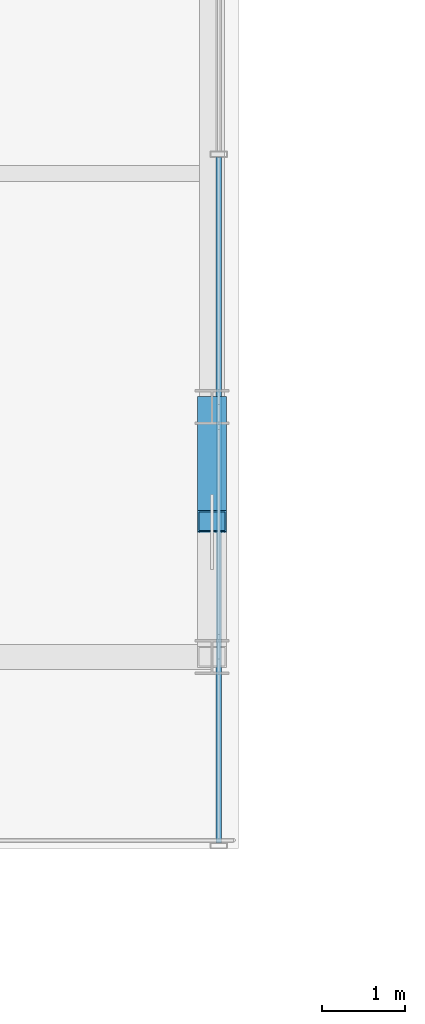
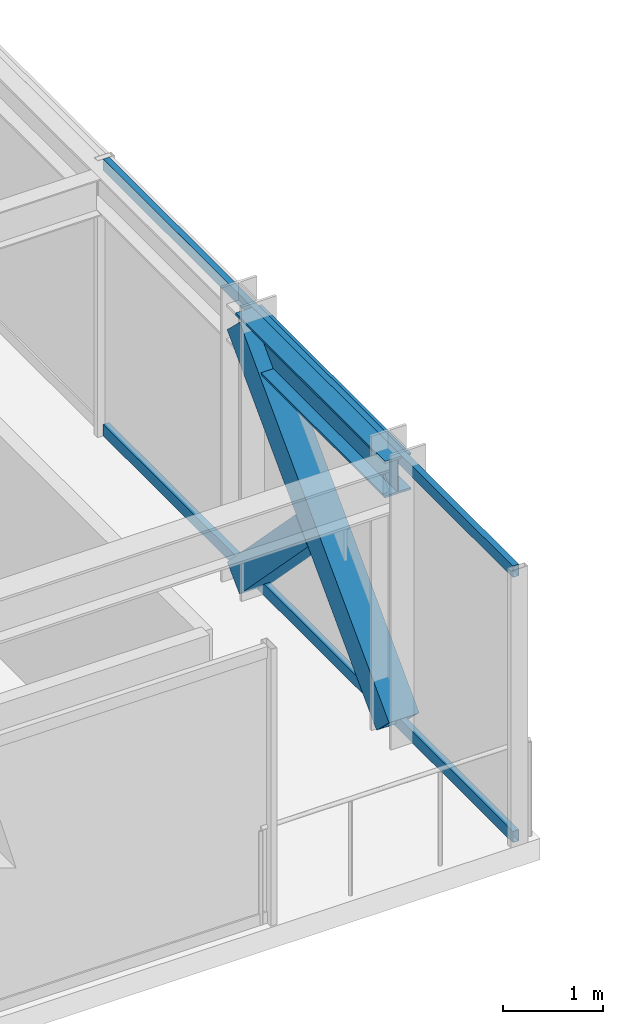
# One storey, part 19 of 36: 4 members, 1 beam, 1 element without a shape of its own.
"""IFC4 building model written with IfcOpenShell, lengths in metres."""

from ifc_helpers import new_model, si_unit, direction, frame, origin, origin_2d, place, context, subcontext, project, spatial, hollow_rectangle, i_section, extrude, source, transform, mapped, material, material_profile, profile_set, type_object, element, aggregate, save


model = new_model("IFC4")

# Units and contexts
model_context = context("Model", 3, precision=1e-05, world=origin(), true_north=direction((0.0, 1.0)))
body_context = subcontext(model_context, "Body", "Model", "MODEL_VIEW")
ifc_project = project(units=[si_unit("LENGTHUNIT", "METRE"), si_unit("AREAUNIT", "SQUARE_METRE"), si_unit("VOLUMEUNIT", "CUBIC_METRE"), si_unit("PLANEANGLEUNIT", "RADIAN"), si_unit("MASSUNIT", "GRAM", prefix="KILO")], contexts=[model_context])

# Site, building, storey
site_placement = place(None, origin())
site = spatial("IfcSite", under=ifc_project, at=site_placement, CompositionType="ELEMENT")
building_placement = place(site_placement, origin())
building = spatial("IfcBuilding", under=site, at=building_placement, Name="Nahalor Promenade Grand Hotel", CompositionType="ELEMENT")
storey_placement = place(building_placement, frame((0.0, 0.0, 174.550048828125)))
storey = spatial("IfcBuildingStorey", under=building, at=storey_placement, Name="L44", CompositionType="ELEMENT", Elevation=174.550048828125)

# Beam
ifc_material_1 = material(Name="Steel S355JR", Category="steel")
ifc_material_profile_1 = material_profile(ifc_material_1, i_section(OverallWidth=0.3, OverallDepth=0.45, WebThickness=0.014, FlangeThickness=0.026, at=origin_2d()), Name="HEB 450")
ifc_profile_set_1 = profile_set([ifc_material_profile_1], Name="Steel S355JR")
beam_type = type_object("IfcBeamType", Name="Beam-Spandrel-HEB450", PredefinedType="SPANDREL", material=ifc_profile_set_1)
shared_shape_1 = source(origin(), body_context, "Body", "SweptSolid", [
    extrude(i_section(OverallWidth=0.3, OverallDepth=0.45, WebThickness=0.014, FlangeThickness=0.026, at=origin_2d()), origin(), (0.0, 0.0, 1.0), 3.0),
])
beam_placement = place(storey_placement, frame((22.47998046875, 5.39990234375, 3.1650390625), z_axis=(0.0, 1.0, 0.0), x_axis=(-1.0, 0.0, 0.0)))
element("IfcBeam", 1, at=beam_placement, inside=storey, type_object=beam_type, Name="BM-L44-SP-E-3", PredefinedType="SPANDREL", context=body_context, shape_type="MappedRepresentation", body=[
    mapped(shared_shape_1, transform((0.0, 0.0, 0.0), scale=1.0)),
])

# Members
ifc_material_profile_2 = material_profile(ifc_material_1, hollow_rectangle(XDim=0.35, YDim=0.35, WallThickness=0.02, at=origin_2d()), Name="SHS 350x350x20")
ifc_profile_set_2 = profile_set([ifc_material_profile_2], Name="Steel S355JR")
member_type_1 = type_object("IfcMemberType", Name="Mem-VoidBrace-SHS350", PredefinedType="BRACE", material=ifc_profile_set_2)
shared_shape_2 = source(origin(), body_context, "Body", "SweptSolid", [
    extrude(hollow_rectangle(XDim=0.35, YDim=0.35, WallThickness=0.02, at=origin_2d()), origin(), (0.0, 0.0, 1.0), 1.96630859375),
])
member_1_placement = place(storey_placement, frame((22.47998046875, 8.39990234375, 0.14990234375), z_axis=(0.0, -0.696537426897, 0.717520461682), x_axis=(1.0, 0.0, 0.0)))
element("IfcMember", 2, at=member_1_placement, inside=storey, type_object=member_type_1, Name="EXO-L44-VX2-E1A", PredefinedType="BRACE", context=body_context, shape_type="MappedRepresentation", body=[
    mapped(shared_shape_2, transform((0.0, 0.0, 0.0), scale=1.0)),
])
shared_shape_3 = source(origin(), body_context, "Body", "SweptSolid", [
    extrude(hollow_rectangle(XDim=0.35, YDim=0.35, WallThickness=0.02, at=origin_2d()), origin(), (0.0, 0.0, 1.0), 4.306884765625),
])
member_2_placement = place(storey_placement, frame((22.47998046875, 5.39990234375, 0.14990234375), z_axis=(0.0, 0.696570665899, 0.717488193219), x_axis=(-1.0, 0.0, 0.0)))
element("IfcMember", 3, at=member_2_placement, inside=storey, type_object=member_type_1, Name="EXO-L44-VX1-E1", PredefinedType="BRACE", context=body_context, shape_type="MappedRepresentation", body=[
    mapped(shared_shape_3, transform((0.0, 0.0, 0.0), scale=1.0)),
])

# Curtain wall, members
ifc_material_2 = material(Name="Anodised Bronze Aluminium EN AW-6063 T6", Category="aluminium")
curtain_wall_type = type_object("IfcCurtainWallType", Name="CW3 Elliptical-Void Collar Unitised Curtain Wall", PredefinedType="USERDEFINED", material=ifc_material_2)
curtain_wall_placement = place(storey_placement, origin())
curtain_wall = element("IfcCurtainWall", 4, at=curtain_wall_placement, inside=storey, type_object=curtain_wall_type, Name="L44 Curtain Wall CW-L44-E-4", ObjectType="UNITISED_CURTAIN_WALL", PredefinedType="USERDEFINED")
ifc_material_profile_3 = material_profile(ifc_material_2, hollow_rectangle(XDim=0.07, YDim=0.14, WallThickness=0.004, at=origin_2d()), Name="CWT 70x140x4")
ifc_profile_set_3 = profile_set([ifc_material_profile_3], Name="Anodised Bronze Aluminium EN AW-6063 T6")
member_type_2 = type_object("IfcMemberType", Name="CWT3 Void Collar Transom 70x140", PredefinedType="USERDEFINED", material=ifc_profile_set_3)
shared_shape_4 = source(origin(), body_context, "Body", "SweptSolid", [
    extrude(hollow_rectangle(XDim=0.07, YDim=0.14, WallThickness=0.004, at=origin_2d()), origin(), (0.0, 0.0, 1.0), 8.22509765625),
])
member_3_placement = place(storey_placement, frame((22.56005859375, 3.169921875, 0.070068359375), z_axis=(0.0, 1.0, 0.0), x_axis=(-1.0, 0.0, 0.0)))
member_3 = element("IfcMember", 5, at=member_3_placement, type_object=member_type_2, Name="CW-L44-E-4 Transom 0-0", ObjectType="TRANSOM", PredefinedType="USERDEFINED", context=body_context, shape_type="MappedRepresentation", body=[
    mapped(shared_shape_4, transform((0.0, 0.0, 0.0), scale=1.0)),
])
member_4_placement = place(storey_placement, frame((22.56005859375, 3.169921875, 3.320068359375), z_axis=(0.0, 1.0, 0.0), x_axis=(-1.0, 0.0, 0.0)))
member_4 = element("IfcMember", 6, at=member_4_placement, type_object=member_type_2, Name="CW-L44-E-4 Transom 0-1", ObjectType="TRANSOM", PredefinedType="USERDEFINED", context=body_context, shape_type="MappedRepresentation", body=[
    mapped(shared_shape_4, transform((0.0, 0.0, 0.0), scale=1.0)),
])
aggregate(curtain_wall, [member_3, member_4])

save(model, "model.ifc")
